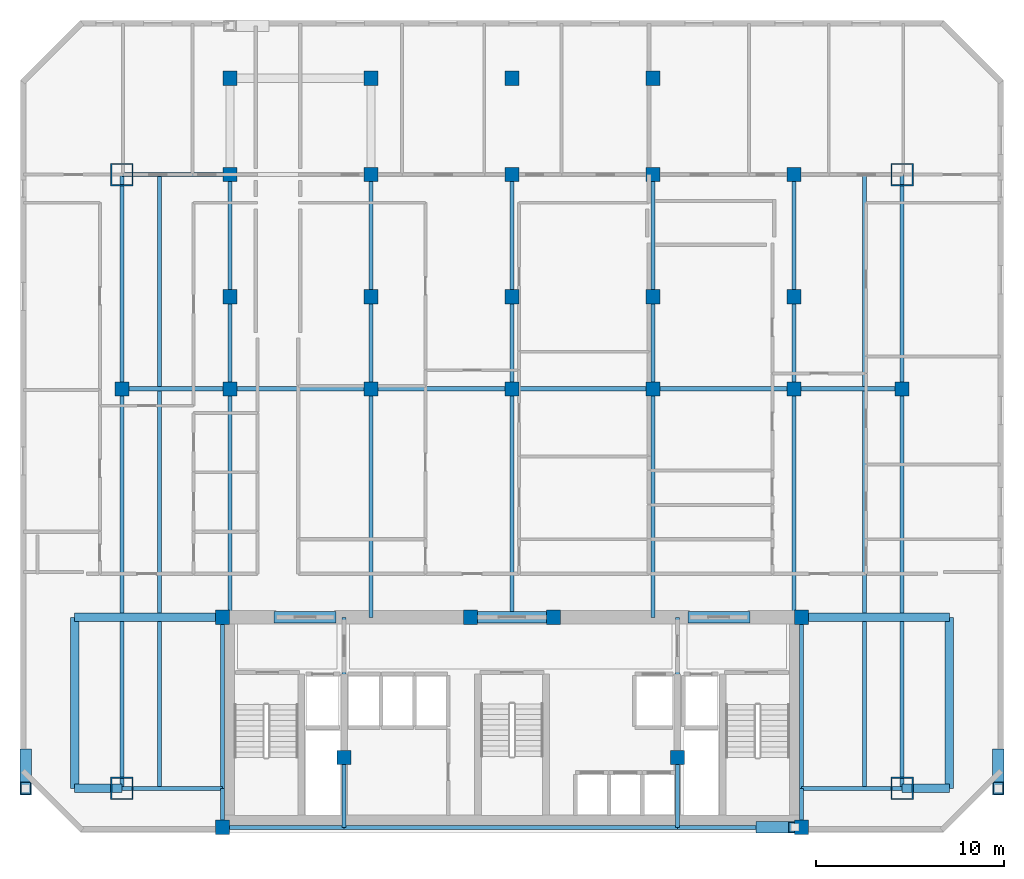
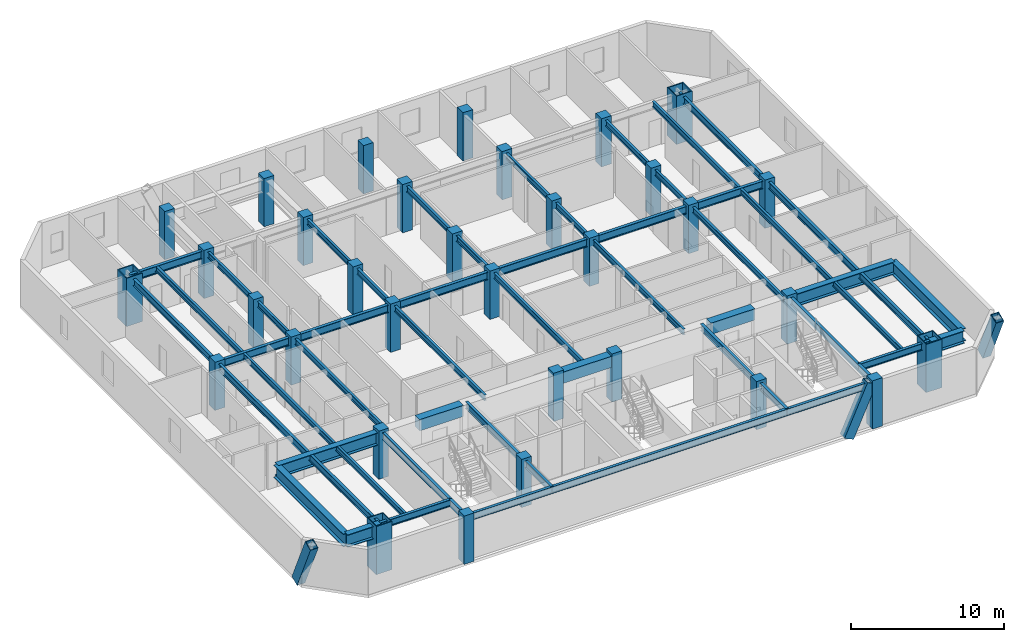
# One storey, part 1 of 9: 47 beams, 33 columns, 3 members.
"""IFC4 building model written with IfcOpenShell, lengths in metres."""

from ifc_helpers import new_model, si_unit, direction, frame, origin, origin_2d, place, context, subcontext, project, spatial, rectangle, hollow_rectangle, i_section, extrude, material, material_profile, profile_set, type_object, element, save


model = new_model("IFC4")

# Units and contexts
model_context = context("Model", 3, precision=1e-05, world=origin(), true_north=direction((0.0, 1.0)))
body_context = subcontext(model_context, "Body", "Model", "MODEL_VIEW")
ifc_project = project(units=[si_unit("LENGTHUNIT", "METRE"), si_unit("AREAUNIT", "SQUARE_METRE"), si_unit("VOLUMEUNIT", "CUBIC_METRE"), si_unit("PLANEANGLEUNIT", "RADIAN"), si_unit("MASSUNIT", "GRAM", prefix="KILO")], contexts=[model_context])

# Site, building, storey
site_placement = place(None, origin())
site = spatial("IfcSite", under=ifc_project, at=site_placement, CompositionType="ELEMENT")
building_placement = place(site_placement, origin())
building = spatial("IfcBuilding", under=site, at=building_placement, Name="Ventersveld Concourse Tower", CompositionType="ELEMENT")
storey_placement = place(building_placement, frame((0.0, 0.0, 152.89990234375)))
storey = spatial("IfcBuildingStorey", under=building, at=storey_placement, Name="L37", CompositionType="ELEMENT", Elevation=152.89990234375)

# Columns
ifc_material_1 = material(Name="Concrete C50/60", Category="concrete")
ifc_material_profile_1 = material_profile(ifc_material_1, rectangle(XDim=0.75, YDim=0.75, at=origin_2d()), Name="RC 750x750")
ifc_profile_set_1 = profile_set([ifc_material_profile_1], Name="Concrete C50/60")
column_type_1 = type_object("IfcColumnType", Name="COL-RC750", PredefinedType="COLUMN", material=ifc_profile_set_1)
for number, where, z_axis, x_axis, name in (
    (1, (13.35009765625, 0.280029296875, 0.0), (0.0, 0.0, 1.0), (1.0, 0.0, 0.0), "L37 Core Spine Column CC-SW"),
    (2, (44.14990234375, 0.280029296875, 0.0), (0.0, 0.0, 1.0), (1.0, 0.0, 0.0), "L37 Core Spine Column CC-SE"),
    (3, (13.35009765625, 11.449951171875, 0.0), (0.0, 0.0, 1.0), (1.0, 0.0, 0.0), "L37 Core Spine Column CC-NW"),
    (4, (44.14990234375, 11.449951171875, 0.0), (0.0, 0.0, 1.0), (1.0, 0.0, 0.0), "L37 Core Spine Column CC-NE"),
    (5, (19.820068359375, 4.0, 0.0), (0.0, 0.0, 1.0), (1.0, 0.0, 0.0), "L37 Core Spine Column CM-1"),
    (6, (37.550048828125, 4.0, 0.0), (0.0, 0.0, 1.0), (1.0, 0.0, 0.0), "L37 Core Spine Column CM-2"),
    (7, (26.550048828125, 11.449951171875, 0.0), (0.0, 0.0, 1.0), (1.0, 0.0, 0.0), "L37 Core Spine Column CM-3"),
    (8, (30.949951171875, 11.449951171875, 0.0), (0.0, 0.0, 1.0), (1.0, 0.0, 0.0), "L37 Core Spine Column CM-4"),
    (9, (8.0, 23.60009765625, 0.0), (0.0, 0.0, 1.0), (1.0, 0.0, 0.0), "L37 Interior Gravity Column X=8.00 Y=23.60"),
    (10, (13.75, 23.60009765625, 0.0), (0.0, 0.0, 1.0), (1.0, 0.0, 0.0), "L37 Interior Gravity Column X=13.75 Y=23.60"),
    (11, (21.25, 23.60009765625, 0.0), (0.0, 0.0, 1.0), (1.0, 0.0, 0.0), "L37 Interior Gravity Column X=21.25 Y=23.60"),
    (12, (28.75, 23.60009765625, 0.0), (0.0, 0.0, 1.0), (1.0, 0.0, 0.0), "L37 Interior Gravity Column X=28.75 Y=23.60"),
    (13, (36.25, 23.60009765625, 0.0), (0.0, 0.0, 1.0), (1.0, 0.0, 0.0), "L37 Interior Gravity Column X=36.25 Y=23.60"),
    (14, (43.75, 23.60009765625, 0.0), (0.0, 0.0, 1.0), (1.0, 0.0, 0.0), "L37 Interior Gravity Column X=43.75 Y=23.60"),
    (15, (49.5, 23.60009765625, 0.0), (0.0, 0.0, 1.0), (1.0, 0.0, 0.0), "L37 Interior Gravity Column X=49.50 Y=23.60"),
    (16, (13.75, 28.5, 0.0), (0.0, 0.0, 1.0), (1.0, 0.0, 0.0), "L37 Upper-North Gravity Column X=13.75 Y=28.50"),
    (17, (21.25, 28.5, 0.0), (0.0, 0.0, 1.0), (1.0, 0.0, 0.0), "L37 Upper-North Gravity Column X=21.25 Y=28.50"),
    (18, (28.75, 28.5, 0.0), (0.0, 0.0, 1.0), (1.0, 0.0, 0.0), "L37 Upper-North Gravity Column X=28.75 Y=28.50"),
    (19, (36.25, 28.5, 0.0), (0.0, 0.0, 1.0), (1.0, 0.0, 0.0), "L37 Upper-North Gravity Column X=36.25 Y=28.50"),
    (20, (43.75, 28.5, 0.0), (0.0, 0.0, 1.0), (1.0, 0.0, 0.0), "L37 Upper-North Gravity Column X=43.75 Y=28.50"),
    (21, (13.75, 40.1201171875, 0.0), (0.0, 0.0, 1.0), (1.0, 0.0, 0.0), "L37 North Brace Node Column X=13.75 Y=40.12"),
    (22, (21.25, 40.1201171875, 0.0), (0.0, 0.0, 1.0), (1.0, 0.0, 0.0), "L37 North Brace Node Column X=21.25 Y=40.12"),
    (23, (28.75, 40.1201171875, 0.0), (0.0, 0.0, 1.0), (1.0, 0.0, 0.0), "L37 North Brace Node Column X=28.75 Y=40.12"),
    (24, (36.25, 40.1201171875, 0.0), (0.0, 0.0, 1.0), (1.0, 0.0, 0.0), "L37 North Brace Node Column X=36.25 Y=40.12"),
    (25, (13.75, 35.0, 0.0), (0.0, 0.0, 1.0), (1.0, 0.0, 0.0), "L37 Mid-North Column X=13.75 Y=35.00"),
    (26, (21.25, 35.0, 0.0), (0.0, 0.0, 1.0), (1.0, 0.0, 0.0), "L37 Mid-North Column X=21.25 Y=35.00"),
    (27, (28.75, 35.0, 0.0), (0.0, 0.0, 1.0), (1.0, 0.0, 0.0), "L37 Mid-North Column X=28.75 Y=35.00"),
    (28, (36.25, 35.0, 0.0), (0.0, 0.0, 1.0), (1.0, 0.0, 0.0), "L37 Mid-North Column X=36.25 Y=35.00"),
    (29, (43.75, 35.0, 0.0), (0.0, 0.0, 1.0), (1.0, 0.0, 0.0), "L37 Mid-North Column X=43.75 Y=35.00"),
):
    element("IfcColumn", number, at=place(storey_placement, frame(where, z_axis=z_axis, x_axis=x_axis)), inside=storey, type_object=column_type_1, Name=name, PredefinedType="COLUMN", context=body_context, shape_type="SweptSolid", body=[
        extrude(rectangle(XDim=0.75, YDim=0.75, at=origin_2d()), origin(), (0.0, 0.0, 1.0), 3.85009765625),
    ])
ifc_material_2 = material(Name="Structural steel S460ML", Category="steel")
ifc_material_profile_2 = material_profile(ifc_material_2, hollow_rectangle(XDim=1.199951171875, YDim=1.199951171875, WallThickness=0.070068359375, at=origin_2d()), Name="BOX 1200x1200x70")
ifc_profile_set_2 = profile_set([ifc_material_profile_2], Name="Structural steel S460ML")
column_type_2 = type_object("IfcColumnType", Name="MC-1200", PredefinedType="USERDEFINED", material=ifc_profile_set_2)
for number, where, z_axis, x_axis, name in (
    (30, (8.0, 2.35009765625, 0.0), (0.0, 0.0, 1.0), (1.0, 0.0, 0.0), "L37 Corner Mega-Column MC-SW"),
    (31, (49.5, 2.35009765625, 0.0), (0.0, 0.0, 1.0), (1.0, 0.0, 0.0), "L37 Corner Mega-Column MC-SE"),
    (32, (49.5, 35.0, 0.0), (0.0, 0.0, 1.0), (1.0, 0.0, 0.0), "L37 Corner Mega-Column MC-NE"),
    (33, (8.0, 35.0, 0.0), (0.0, 0.0, 1.0), (1.0, 0.0, 0.0), "L37 Corner Mega-Column MC-NW"),
):
    element("IfcColumn", number, at=place(storey_placement, frame(where, z_axis=z_axis, x_axis=x_axis)), inside=storey, type_object=column_type_2, Name=name, ObjectType="MEGA_COLUMN", PredefinedType="USERDEFINED", context=body_context, shape_type="SweptSolid", body=[
        extrude(hollow_rectangle(XDim=1.199951171875, YDim=1.199951171875, WallThickness=0.070068359375, at=origin_2d()), origin(), (0.0, 0.0, 1.0), 3.85009765625),
    ])

# Beams
ifc_material_3 = material(Name="Structural steel S355J2", Category="steel")
ifc_material_profile_3 = material_profile(ifc_material_3, i_section(OverallWidth=0.18994140625, OverallDepth=0.453369140625, WebThickness=0.008544921875, FlangeThickness=0.0126953125, FilletRadius=0.01025390625, at=origin_2d()), Name="UB 457x191x67")
ifc_profile_set_3 = profile_set([ifc_material_profile_3], Name="Structural steel S355J2")
beam_type_1 = type_object("IfcBeamType", Name="BM-UB457", PredefinedType="BEAM", material=ifc_profile_set_3)
beam_1_placement = place(storey_placement, frame((10.0, 2.35009765625, 3.4033203125), z_axis=(0.0, 1.0, 0.0), x_axis=(-1.0, 0.0, 0.0)))
element("IfcBeam", 34, at=beam_1_placement, inside=storey, type_object=beam_type_1, Name="L37 N-S Composite Floor Beam South X=10.00", PredefinedType="BEAM", context=body_context, shape_type="SweptSolid", body=[
    extrude(i_section(OverallWidth=0.18994140625, OverallDepth=0.453369140625, WebThickness=0.008544921875, FlangeThickness=0.0126953125, FilletRadius=0.01025390625, at=origin_2d()), origin(), (0.0, 0.0, 1.0), 21.15478515625),
])
beam_2_placement = place(storey_placement, frame((10.0, 23.695068359375, 3.4033203125), z_axis=(0.0, 1.0, 0.0), x_axis=(-1.0, 0.0, 0.0)))
element("IfcBeam", 35, at=beam_2_placement, inside=storey, type_object=beam_type_1, Name="L37 N-S Composite Floor Beam Mid X=10.00", PredefinedType="BEAM", context=body_context, shape_type="SweptSolid", body=[
    extrude(i_section(OverallWidth=0.18994140625, OverallDepth=0.453369140625, WebThickness=0.008544921875, FlangeThickness=0.0126953125, FilletRadius=0.01025390625, at=origin_2d()), origin(), (0.0, 0.0, 1.0), 11.304931640625),
])
beam_3_placement = place(storey_placement, frame((13.75, 11.449951171875, 3.4033203125), z_axis=(0.0, 1.0, 0.0), x_axis=(-1.0, 0.0, 0.0)))
element("IfcBeam", 36, at=beam_3_placement, inside=storey, type_object=beam_type_1, Name="L37 N-S Composite Floor Beam South X=13.75", PredefinedType="BEAM", context=body_context, shape_type="SweptSolid", body=[
    extrude(i_section(OverallWidth=0.18994140625, OverallDepth=0.453369140625, WebThickness=0.008544921875, FlangeThickness=0.0126953125, FilletRadius=0.01025390625, at=origin_2d()), origin(), (0.0, 0.0, 1.0), 12.150146484375),
])
beam_4_placement = place(storey_placement, frame((13.75, 23.60009765625, 3.4033203125), z_axis=(0.0, 1.0, 0.0), x_axis=(-1.0, 0.0, 0.0)))
element("IfcBeam", 37, at=beam_4_placement, inside=storey, type_object=beam_type_1, Name="L37 N-S Composite Floor Beam Mid X=13.75", PredefinedType="BEAM", context=body_context, shape_type="SweptSolid", body=[
    extrude(i_section(OverallWidth=0.18994140625, OverallDepth=0.453369140625, WebThickness=0.008544921875, FlangeThickness=0.0126953125, FilletRadius=0.01025390625, at=origin_2d()), origin(), (0.0, 0.0, 1.0), 11.39990234375),
])
beam_5_placement = place(storey_placement, frame((21.25, 11.449951171875, 3.4033203125), z_axis=(0.0, 1.0, 0.0), x_axis=(-1.0, 0.0, 0.0)))
element("IfcBeam", 38, at=beam_5_placement, inside=storey, type_object=beam_type_1, Name="L37 N-S Composite Floor Beam South X=21.25", PredefinedType="BEAM", context=body_context, shape_type="SweptSolid", body=[
    extrude(i_section(OverallWidth=0.18994140625, OverallDepth=0.453369140625, WebThickness=0.008544921875, FlangeThickness=0.0126953125, FilletRadius=0.01025390625, at=origin_2d()), origin(), (0.0, 0.0, 1.0), 12.150146484375),
])
beam_6_placement = place(storey_placement, frame((21.25, 23.60009765625, 3.4033203125), z_axis=(0.0, 1.0, 0.0), x_axis=(-1.0, 0.0, 0.0)))
element("IfcBeam", 39, at=beam_6_placement, inside=storey, type_object=beam_type_1, Name="L37 N-S Composite Floor Beam Mid X=21.25", PredefinedType="BEAM", context=body_context, shape_type="SweptSolid", body=[
    extrude(i_section(OverallWidth=0.18994140625, OverallDepth=0.453369140625, WebThickness=0.008544921875, FlangeThickness=0.0126953125, FilletRadius=0.01025390625, at=origin_2d()), origin(), (0.0, 0.0, 1.0), 11.39990234375),
])
beam_7_placement = place(storey_placement, frame((28.75, 11.449951171875, 3.4033203125), z_axis=(0.0, 1.0, 0.0), x_axis=(-1.0, 0.0, 0.0)))
element("IfcBeam", 40, at=beam_7_placement, inside=storey, type_object=beam_type_1, Name="L37 N-S Composite Floor Beam South X=28.75", PredefinedType="BEAM", context=body_context, shape_type="SweptSolid", body=[
    extrude(i_section(OverallWidth=0.18994140625, OverallDepth=0.453369140625, WebThickness=0.008544921875, FlangeThickness=0.0126953125, FilletRadius=0.01025390625, at=origin_2d()), origin(), (0.0, 0.0, 1.0), 12.150146484375),
])
beam_8_placement = place(storey_placement, frame((28.75, 23.60009765625, 3.4033203125), z_axis=(0.0, 1.0, 0.0), x_axis=(-1.0, 0.0, 0.0)))
element("IfcBeam", 41, at=beam_8_placement, inside=storey, type_object=beam_type_1, Name="L37 N-S Composite Floor Beam Mid X=28.75", PredefinedType="BEAM", context=body_context, shape_type="SweptSolid", body=[
    extrude(i_section(OverallWidth=0.18994140625, OverallDepth=0.453369140625, WebThickness=0.008544921875, FlangeThickness=0.0126953125, FilletRadius=0.01025390625, at=origin_2d()), origin(), (0.0, 0.0, 1.0), 11.39990234375),
])
beam_9_placement = place(storey_placement, frame((36.25, 11.449951171875, 3.4033203125), z_axis=(0.0, 1.0, 0.0), x_axis=(-1.0, 0.0, 0.0)))
element("IfcBeam", 42, at=beam_9_placement, inside=storey, type_object=beam_type_1, Name="L37 N-S Composite Floor Beam South X=36.25", PredefinedType="BEAM", context=body_context, shape_type="SweptSolid", body=[
    extrude(i_section(OverallWidth=0.18994140625, OverallDepth=0.453369140625, WebThickness=0.008544921875, FlangeThickness=0.0126953125, FilletRadius=0.01025390625, at=origin_2d()), origin(), (0.0, 0.0, 1.0), 12.150146484375),
])
beam_10_placement = place(storey_placement, frame((36.25, 23.60009765625, 3.4033203125), z_axis=(0.0, 1.0, 0.0), x_axis=(-1.0, 0.0, 0.0)))
element("IfcBeam", 43, at=beam_10_placement, inside=storey, type_object=beam_type_1, Name="L37 N-S Composite Floor Beam Mid X=36.25", PredefinedType="BEAM", context=body_context, shape_type="SweptSolid", body=[
    extrude(i_section(OverallWidth=0.18994140625, OverallDepth=0.453369140625, WebThickness=0.008544921875, FlangeThickness=0.0126953125, FilletRadius=0.01025390625, at=origin_2d()), origin(), (0.0, 0.0, 1.0), 11.39990234375),
])
beam_11_placement = place(storey_placement, frame((43.75, 11.449951171875, 3.4033203125), z_axis=(0.0, 1.0, 0.0), x_axis=(-1.0, 0.0, 0.0)))
element("IfcBeam", 44, at=beam_11_placement, inside=storey, type_object=beam_type_1, Name="L37 N-S Composite Floor Beam South X=43.75", PredefinedType="BEAM", context=body_context, shape_type="SweptSolid", body=[
    extrude(i_section(OverallWidth=0.18994140625, OverallDepth=0.453369140625, WebThickness=0.008544921875, FlangeThickness=0.0126953125, FilletRadius=0.01025390625, at=origin_2d()), origin(), (0.0, 0.0, 1.0), 12.150146484375),
])
beam_12_placement = place(storey_placement, frame((43.75, 23.60009765625, 3.4033203125), z_axis=(0.0, 1.0, 0.0), x_axis=(-1.0, 0.0, 0.0)))
element("IfcBeam", 45, at=beam_12_placement, inside=storey, type_object=beam_type_1, Name="L37 N-S Composite Floor Beam Mid X=43.75", PredefinedType="BEAM", context=body_context, shape_type="SweptSolid", body=[
    extrude(i_section(OverallWidth=0.18994140625, OverallDepth=0.453369140625, WebThickness=0.008544921875, FlangeThickness=0.0126953125, FilletRadius=0.01025390625, at=origin_2d()), origin(), (0.0, 0.0, 1.0), 11.39990234375),
])
beam_13_placement = place(storey_placement, frame((47.5, 2.35009765625, 3.4033203125), z_axis=(0.0, 1.0, 0.0), x_axis=(-1.0, 0.0, 0.0)))
element("IfcBeam", 46, at=beam_13_placement, inside=storey, type_object=beam_type_1, Name="L37 N-S Composite Floor Beam South X=47.50", PredefinedType="BEAM", context=body_context, shape_type="SweptSolid", body=[
    extrude(i_section(OverallWidth=0.18994140625, OverallDepth=0.453369140625, WebThickness=0.008544921875, FlangeThickness=0.0126953125, FilletRadius=0.01025390625, at=origin_2d()), origin(), (0.0, 0.0, 1.0), 21.15478515625),
])
beam_14_placement = place(storey_placement, frame((47.5, 23.695068359375, 3.4033203125), z_axis=(0.0, 1.0, 0.0), x_axis=(-1.0, 0.0, 0.0)))
element("IfcBeam", 47, at=beam_14_placement, inside=storey, type_object=beam_type_1, Name="L37 N-S Composite Floor Beam Mid X=47.50", PredefinedType="BEAM", context=body_context, shape_type="SweptSolid", body=[
    extrude(i_section(OverallWidth=0.18994140625, OverallDepth=0.453369140625, WebThickness=0.008544921875, FlangeThickness=0.0126953125, FilletRadius=0.01025390625, at=origin_2d()), origin(), (0.0, 0.0, 1.0), 11.304931640625),
])
ifc_material_4 = material(Name="Concrete C60/75", Category="concrete")
ifc_material_profile_4 = material_profile(ifc_material_4, rectangle(XDim=0.60009765625, YDim=0.89990234375, at=origin_2d()), Name="RC 600x900")
ifc_profile_set_4 = profile_set([ifc_material_profile_4], Name="Concrete C60/75")
beam_type_2 = type_object("IfcBeamType", Name="CB-RC600x900L", PredefinedType="LINTEL", material=ifc_profile_set_4)
beam_15_placement = place(storey_placement, frame((16.10009765625, 11.449951171875, 3.18017578125), z_axis=(1.0, 0.0, 0.0), x_axis=(0.0, 1.0, 0.0)))
element("IfcBeam", 48, at=beam_15_placement, inside=storey, type_object=beam_type_2, Name="L37 Core Coupling Lintel Beam 1", PredefinedType="LINTEL", context=body_context, shape_type="SweptSolid", body=[
    extrude(rectangle(XDim=0.60009765625, YDim=0.89990234375, at=origin_2d()), origin(), (0.0, 0.0, 1.0), 3.2998046875),
])
beam_16_placement = place(storey_placement, frame((26.5, 11.449951171875, 3.18017578125), z_axis=(1.0, 0.0, 0.0), x_axis=(0.0, 1.0, 0.0)))
element("IfcBeam", 49, at=beam_16_placement, inside=storey, type_object=beam_type_2, Name="L37 Core Coupling Lintel Beam 2", PredefinedType="LINTEL", context=body_context, shape_type="SweptSolid", body=[
    extrude(rectangle(XDim=0.60009765625, YDim=0.89990234375, at=origin_2d()), origin(), (0.0, 0.0, 1.0), 4.5),
])
beam_17_placement = place(storey_placement, frame((38.10009765625, 11.449951171875, 3.18017578125), z_axis=(1.0, 0.0, 0.0), x_axis=(0.0, 1.0, 0.0)))
element("IfcBeam", 50, at=beam_17_placement, inside=storey, type_object=beam_type_2, Name="L37 Core Coupling Lintel Beam 3", PredefinedType="LINTEL", context=body_context, shape_type="SweptSolid", body=[
    extrude(rectangle(XDim=0.60009765625, YDim=0.89990234375, at=origin_2d()), origin(), (0.0, 0.0, 1.0), 3.2998046875),
])
ifc_material_profile_5 = material_profile(ifc_material_3, i_section(OverallWidth=0.2119140625, OverallDepth=0.54443359375, WebThickness=0.0126953125, FlangeThickness=0.021240234375, FilletRadius=0.0126953125, at=origin_2d()), Name="UB 533x210x122")
ifc_profile_set_5 = profile_set([ifc_material_profile_5], Name="Structural steel S355J2")
beam_type_3 = type_object("IfcBeamType", Name="GRD-UB533H", PredefinedType="T_BEAM", material=ifc_profile_set_5)
beam_18_placement = place(storey_placement, frame((13.35009765625, 0.280029296875, 3.35791015625), z_axis=(0.0, 1.0, 0.0), x_axis=(-1.0, 0.0, 0.0)))
element("IfcBeam", 51, at=beam_18_placement, inside=storey, type_object=beam_type_3, Name="L37 Core West Tie Beam S", PredefinedType="T_BEAM", context=body_context, shape_type="SweptSolid", body=[
    extrude(i_section(OverallWidth=0.2119140625, OverallDepth=0.54443359375, WebThickness=0.0126953125, FlangeThickness=0.021240234375, FilletRadius=0.0126953125, at=origin_2d()), origin(), (0.0, 0.0, 1.0), 2.070068359375),
])
beam_19_placement = place(storey_placement, frame((13.35009765625, 2.35009765625, 3.35791015625), z_axis=(0.0, 1.0, 0.0), x_axis=(-1.0, 0.0, 0.0)))
element("IfcBeam", 52, at=beam_19_placement, inside=storey, type_object=beam_type_3, Name="L37 Core West Tie Beam N", PredefinedType="T_BEAM", context=body_context, shape_type="SweptSolid", body=[
    extrude(i_section(OverallWidth=0.2119140625, OverallDepth=0.54443359375, WebThickness=0.0126953125, FlangeThickness=0.021240234375, FilletRadius=0.0126953125, at=origin_2d()), origin(), (0.0, 0.0, 1.0), 9.099853515625),
])
beam_20_placement = place(storey_placement, frame((44.14990234375, 0.280029296875, 3.35791015625), z_axis=(0.0, 1.0, 0.0), x_axis=(-1.0, 0.0, 0.0)))
element("IfcBeam", 53, at=beam_20_placement, inside=storey, type_object=beam_type_3, Name="L37 Core East Tie Beam S", PredefinedType="T_BEAM", context=body_context, shape_type="SweptSolid", body=[
    extrude(i_section(OverallWidth=0.2119140625, OverallDepth=0.54443359375, WebThickness=0.0126953125, FlangeThickness=0.021240234375, FilletRadius=0.0126953125, at=origin_2d()), origin(), (0.0, 0.0, 1.0), 2.070068359375),
])
beam_21_placement = place(storey_placement, frame((44.14990234375, 2.35009765625, 3.35791015625), z_axis=(0.0, 1.0, 0.0), x_axis=(-1.0, 0.0, 0.0)))
element("IfcBeam", 54, at=beam_21_placement, inside=storey, type_object=beam_type_3, Name="L37 Core East Tie Beam N", PredefinedType="T_BEAM", context=body_context, shape_type="SweptSolid", body=[
    extrude(i_section(OverallWidth=0.2119140625, OverallDepth=0.54443359375, WebThickness=0.0126953125, FlangeThickness=0.021240234375, FilletRadius=0.0126953125, at=origin_2d()), origin(), (0.0, 0.0, 1.0), 9.099853515625),
])
beam_22_placement = place(storey_placement, frame((13.35009765625, 0.280029296875, 3.35791015625), z_axis=(1.0, 0.0, 0.0), x_axis=(0.0, 1.0, 0.0)))
element("IfcBeam", 55, at=beam_22_placement, inside=storey, type_object=beam_type_3, Name="L37 Core South Tie Beam W", PredefinedType="T_BEAM", context=body_context, shape_type="SweptSolid", body=[
    extrude(i_section(OverallWidth=0.2119140625, OverallDepth=0.54443359375, WebThickness=0.0126953125, FlangeThickness=0.021240234375, FilletRadius=0.0126953125, at=origin_2d()), origin(), (0.0, 0.0, 1.0), 6.469970703125),
])
beam_23_placement = place(storey_placement, frame((19.820068359375, 0.280029296875, 3.35791015625), z_axis=(1.0, 0.0, 0.0), x_axis=(0.0, 1.0, 0.0)))
element("IfcBeam", 56, at=beam_23_placement, inside=storey, type_object=beam_type_3, Name="L37 Core South Tie Beam C", PredefinedType="T_BEAM", context=body_context, shape_type="SweptSolid", body=[
    extrude(i_section(OverallWidth=0.2119140625, OverallDepth=0.54443359375, WebThickness=0.0126953125, FlangeThickness=0.021240234375, FilletRadius=0.0126953125, at=origin_2d()), origin(), (0.0, 0.0, 1.0), 17.72998046875),
])
beam_24_placement = place(storey_placement, frame((37.550048828125, 0.280029296875, 3.35791015625), z_axis=(1.0, 0.0, 0.0), x_axis=(0.0, 1.0, 0.0)))
element("IfcBeam", 57, at=beam_24_placement, inside=storey, type_object=beam_type_3, Name="L37 Core South Tie Beam E", PredefinedType="T_BEAM", context=body_context, shape_type="SweptSolid", body=[
    extrude(i_section(OverallWidth=0.2119140625, OverallDepth=0.54443359375, WebThickness=0.0126953125, FlangeThickness=0.021240234375, FilletRadius=0.0126953125, at=origin_2d()), origin(), (0.0, 0.0, 1.0), 6.599853515625),
])
beam_25_placement = place(storey_placement, frame((19.820068359375, 0.280029296875, 3.35791015625), z_axis=(0.0, 1.0, 0.0), x_axis=(-1.0, 0.0, 0.0)))
element("IfcBeam", 58, at=beam_25_placement, inside=storey, type_object=beam_type_3, Name="L37 Core Spine N-S Tie Beam W1", PredefinedType="T_BEAM", context=body_context, shape_type="SweptSolid", body=[
    extrude(i_section(OverallWidth=0.2119140625, OverallDepth=0.54443359375, WebThickness=0.0126953125, FlangeThickness=0.021240234375, FilletRadius=0.0126953125, at=origin_2d()), origin(), (0.0, 0.0, 1.0), 3.719970703125),
])
beam_26_placement = place(storey_placement, frame((19.820068359375, 4.0, 3.35791015625), z_axis=(0.0, 1.0, 0.0), x_axis=(-1.0, 0.0, 0.0)))
element("IfcBeam", 59, at=beam_26_placement, inside=storey, type_object=beam_type_3, Name="L37 Core Spine N-S Tie Beam W2", PredefinedType="T_BEAM", context=body_context, shape_type="SweptSolid", body=[
    extrude(i_section(OverallWidth=0.2119140625, OverallDepth=0.54443359375, WebThickness=0.0126953125, FlangeThickness=0.021240234375, FilletRadius=0.0126953125, at=origin_2d()), origin(), (0.0, 0.0, 1.0), 7.449951171875),
])
beam_27_placement = place(storey_placement, frame((37.550048828125, 0.280029296875, 3.35791015625), z_axis=(0.0, 1.0, 0.0), x_axis=(-1.0, 0.0, 0.0)))
element("IfcBeam", 60, at=beam_27_placement, inside=storey, type_object=beam_type_3, Name="L37 Core Spine N-S Tie Beam E1", PredefinedType="T_BEAM", context=body_context, shape_type="SweptSolid", body=[
    extrude(i_section(OverallWidth=0.2119140625, OverallDepth=0.54443359375, WebThickness=0.0126953125, FlangeThickness=0.021240234375, FilletRadius=0.0126953125, at=origin_2d()), origin(), (0.0, 0.0, 1.0), 3.719970703125),
])
beam_28_placement = place(storey_placement, frame((37.550048828125, 4.0, 3.35791015625), z_axis=(0.0, 1.0, 0.0), x_axis=(-1.0, 0.0, 0.0)))
element("IfcBeam", 61, at=beam_28_placement, inside=storey, type_object=beam_type_3, Name="L37 Core Spine N-S Tie Beam E2", PredefinedType="T_BEAM", context=body_context, shape_type="SweptSolid", body=[
    extrude(i_section(OverallWidth=0.2119140625, OverallDepth=0.54443359375, WebThickness=0.0126953125, FlangeThickness=0.021240234375, FilletRadius=0.0126953125, at=origin_2d()), origin(), (0.0, 0.0, 1.0), 7.449951171875),
])
ifc_material_profile_6 = material_profile(ifc_material_3, i_section(OverallWidth=0.230224609375, OverallDepth=0.6171875, WebThickness=0.01318359375, FlangeThickness=0.022216796875, FilletRadius=0.0126953125, at=origin_2d()), Name="UB 610x229x140")
ifc_profile_set_6 = profile_set([ifc_material_profile_6], Name="Structural steel S355J2")
beam_type_4 = type_object("IfcBeamType", Name="GRD-UB610", PredefinedType="USERDEFINED", material=ifc_profile_set_6)
beam_29_placement = place(storey_placement, frame((8.0, 23.60009765625, 3.321533203125), z_axis=(1.0, 0.0, 0.0), x_axis=(0.0, 1.0, 0.0)))
element("IfcBeam", 62, at=beam_29_placement, inside=storey, type_object=beam_type_4, Name="L37 Primary E-W Grid Girder Y=23.60 #1", ObjectType="GIRDER", PredefinedType="USERDEFINED", context=body_context, shape_type="SweptSolid", body=[
    extrude(i_section(OverallWidth=0.230224609375, OverallDepth=0.6171875, WebThickness=0.01318359375, FlangeThickness=0.022216796875, FilletRadius=0.0126953125, at=origin_2d()), origin(), (0.0, 0.0, 1.0), 5.75),
])
for number, where, z_axis, x_axis, name in (
    (63, (13.75, 23.60009765625, 3.321533203125), (1.0, 0.0, 0.0), (0.0, 1.0, 0.0), "L37 Primary E-W Grid Girder Y=23.60 #2"),
    (64, (21.25, 23.60009765625, 3.321533203125), (1.0, 0.0, 0.0), (0.0, 1.0, 0.0), "L37 Primary E-W Grid Girder Y=23.60 #3"),
    (65, (28.75, 23.60009765625, 3.321533203125), (1.0, 0.0, 0.0), (0.0, 1.0, 0.0), "L37 Primary E-W Grid Girder Y=23.60 #4"),
    (66, (36.25, 23.60009765625, 3.321533203125), (1.0, 0.0, 0.0), (0.0, 1.0, 0.0), "L37 Primary E-W Grid Girder Y=23.60 #5"),
):
    element("IfcBeam", number, at=place(storey_placement, frame(where, z_axis=z_axis, x_axis=x_axis)), inside=storey, type_object=beam_type_4, Name=name, ObjectType="GIRDER", PredefinedType="USERDEFINED", context=body_context, shape_type="SweptSolid", body=[
        extrude(i_section(OverallWidth=0.230224609375, OverallDepth=0.6171875, WebThickness=0.01318359375, FlangeThickness=0.022216796875, FilletRadius=0.0126953125, at=origin_2d()), origin(), (0.0, 0.0, 1.0), 7.5),
    ])
for number, where, z_axis, x_axis, name in (
    (67, (43.75, 23.60009765625, 3.321533203125), (1.0, 0.0, 0.0), (0.0, 1.0, 0.0), "L37 Primary E-W Grid Girder Y=23.60 #6"),
    (68, (8.0, 35.0, 3.321533203125), (1.0, 0.0, 0.0), (0.0, 1.0, 0.0), "L37 E-W Grid Girder Y=35.00 #1"),
):
    element("IfcBeam", number, at=place(storey_placement, frame(where, z_axis=z_axis, x_axis=x_axis)), inside=storey, type_object=beam_type_4, Name=name, ObjectType="GIRDER", PredefinedType="USERDEFINED", context=body_context, shape_type="SweptSolid", body=[
        extrude(i_section(OverallWidth=0.230224609375, OverallDepth=0.6171875, WebThickness=0.01318359375, FlangeThickness=0.022216796875, FilletRadius=0.0126953125, at=origin_2d()), origin(), (0.0, 0.0, 1.0), 5.75),
    ])

# Members
ifc_material_5 = material(Name="Structural steel S355ML", Category="steel")
ifc_material_profile_7 = material_profile(ifc_material_5, hollow_rectangle(XDim=0.60009765625, YDim=0.75, WallThickness=0.0400390625, at=origin_2d()), Name="BOX 750x600x40")
ifc_profile_set_7 = profile_set([ifc_material_profile_7], Name="Structural steel S355ML")
member_type = type_object("IfcMemberType", Name="MB-750x600", PredefinedType="BRACE", material=ifc_profile_set_7)
for number, where, z_axis, x_axis, name in (
    (69, (42.060546875, 0.280029296875, -0.219970703125), (0.411733807219, 0.0, 0.911304159978), (0.0, 1.0, 0.0), "L37 Exterior Mega-Brace S (Module M08)"),
    (70, (2.8798828125, 4.089599609375, -0.219970703125), (0.0, -0.411733807219, 0.911304159978), (1.0, 0.0, 0.0), "L37 Exterior Mega-Brace W (Module M08)"),
    (71, (54.6201171875, 4.089599609375, -0.219970703125), (0.0, -0.411733807219, 0.911304159978), (1.0, 0.0, 0.0), "L37 Exterior Mega-Brace E (Module M08)"),
):
    element("IfcMember", number, at=place(storey_placement, frame(where, z_axis=z_axis, x_axis=x_axis)), inside=storey, type_object=member_type, Name=name, PredefinedType="BRACE", context=body_context, shape_type="SweptSolid", body=[
        extrude(hollow_rectangle(XDim=0.60009765625, YDim=0.75, WallThickness=0.0400390625, at=origin_2d()), origin(), (0.0, 0.0, 1.0), 4.224853515625),
    ])

# Beams
ifc_material_profile_8 = material_profile(ifc_material_3, i_section(OverallWidth=0.2119140625, OverallDepth=0.54443359375, WebThickness=0.0126953125, FlangeThickness=0.021240234375, FilletRadius=0.0126953125, at=origin_2d()), Name="UB 533x210x122")
ifc_profile_set_8 = profile_set([ifc_material_profile_8], Name="Structural steel S355J2")
beam_type_5 = type_object("IfcBeamType", Name="SPD-UB533", PredefinedType="SPANDREL", material=ifc_profile_set_8)
for number, where, z_axis, x_axis, name in (
    (72, (8.0, 2.35009765625, 3.35791015625), (1.0, 0.0, 0.0), (0.0, 1.0, 0.0), "L37 SW Spandrel Beam"),
    (73, (44.14990234375, 2.35009765625, 3.35791015625), (1.0, 0.0, 0.0), (0.0, 1.0, 0.0), "L37 SE Spandrel Beam"),
):
    element("IfcBeam", number, at=place(storey_placement, frame(where, z_axis=z_axis, x_axis=x_axis)), inside=storey, type_object=beam_type_5, Name=name, PredefinedType="SPANDREL", context=body_context, shape_type="SweptSolid", body=[
        extrude(i_section(OverallWidth=0.2119140625, OverallDepth=0.54443359375, WebThickness=0.0126953125, FlangeThickness=0.021240234375, FilletRadius=0.0126953125, at=origin_2d()), origin(), (0.0, 0.0, 1.0), 5.35009765625),
    ])
beam_30_placement = place(storey_placement, frame((8.0, 2.35009765625, 3.35791015625), z_axis=(0.0, 1.0, 0.0), x_axis=(-1.0, 0.0, 0.0)))
element("IfcBeam", 74, at=beam_30_placement, inside=storey, type_object=beam_type_5, Name="L37 West Spandrel Beam S", PredefinedType="SPANDREL", context=body_context, shape_type="SweptSolid", body=[
    extrude(i_section(OverallWidth=0.2119140625, OverallDepth=0.54443359375, WebThickness=0.0126953125, FlangeThickness=0.021240234375, FilletRadius=0.0126953125, at=origin_2d()), origin(), (0.0, 0.0, 1.0), 21.25),
])
beam_31_placement = place(storey_placement, frame((8.0, 23.60009765625, 3.35791015625), z_axis=(0.0, 1.0, 0.0), x_axis=(-1.0, 0.0, 0.0)))
element("IfcBeam", 75, at=beam_31_placement, inside=storey, type_object=beam_type_5, Name="L37 West Spandrel Beam N", PredefinedType="SPANDREL", context=body_context, shape_type="SweptSolid", body=[
    extrude(i_section(OverallWidth=0.2119140625, OverallDepth=0.54443359375, WebThickness=0.0126953125, FlangeThickness=0.021240234375, FilletRadius=0.0126953125, at=origin_2d()), origin(), (0.0, 0.0, 1.0), 11.39990234375),
])
beam_32_placement = place(storey_placement, frame((49.5, 2.35009765625, 3.35791015625), z_axis=(0.0, 1.0, 0.0), x_axis=(-1.0, 0.0, 0.0)))
element("IfcBeam", 76, at=beam_32_placement, inside=storey, type_object=beam_type_5, Name="L37 East Spandrel Beam S", PredefinedType="SPANDREL", context=body_context, shape_type="SweptSolid", body=[
    extrude(i_section(OverallWidth=0.2119140625, OverallDepth=0.54443359375, WebThickness=0.0126953125, FlangeThickness=0.021240234375, FilletRadius=0.0126953125, at=origin_2d()), origin(), (0.0, 0.0, 1.0), 21.25),
])
beam_33_placement = place(storey_placement, frame((49.5, 23.60009765625, 3.35791015625), z_axis=(0.0, 1.0, 0.0), x_axis=(-1.0, 0.0, 0.0)))
element("IfcBeam", 77, at=beam_33_placement, inside=storey, type_object=beam_type_5, Name="L37 East Spandrel Beam N", PredefinedType="SPANDREL", context=body_context, shape_type="SweptSolid", body=[
    extrude(i_section(OverallWidth=0.2119140625, OverallDepth=0.54443359375, WebThickness=0.0126953125, FlangeThickness=0.021240234375, FilletRadius=0.0126953125, at=origin_2d()), origin(), (0.0, 0.0, 1.0), 11.39990234375),
])
ifc_material_profile_9 = material_profile(ifc_material_2, i_section(OverallWidth=0.449951171875, OverallDepth=1.0, WebThickness=0.02392578125, FlangeThickness=0.0400390625, at=origin_2d()), Name="PG 1000x450x40")
ifc_profile_set_9 = profile_set([ifc_material_profile_9], Name="Structural steel S460ML")
beam_type_6 = type_object("IfcBeamType", Name="TG-PG1000", PredefinedType="USERDEFINED", material=ifc_profile_set_9)
beam_34_placement = place(storey_placement, frame((5.47998046875, 2.35009765625, 3.130126953125), z_axis=(1.0, 0.0, 0.0), x_axis=(0.0, 1.0, 0.0)))
element("IfcBeam", 78, at=beam_34_placement, inside=storey, type_object=beam_type_6, Name="L37 West Perimeter Setback Cantilever 1", ObjectType="TRANSFER_GIRDER", PredefinedType="USERDEFINED", context=body_context, shape_type="SweptSolid", body=[
    extrude(i_section(OverallWidth=0.449951171875, OverallDepth=1.0, WebThickness=0.02392578125, FlangeThickness=0.0400390625, at=origin_2d()), origin(), (0.0, 0.0, 1.0), 2.52001953125),
])
beam_35_placement = place(storey_placement, frame((5.47998046875, 11.449951171875, 3.130126953125), z_axis=(1.0, 0.0, 0.0), x_axis=(0.0, 1.0, 0.0)))
element("IfcBeam", 79, at=beam_35_placement, inside=storey, type_object=beam_type_6, Name="L37 West Perimeter Setback Cantilever 2", ObjectType="TRANSFER_GIRDER", PredefinedType="USERDEFINED", context=body_context, shape_type="SweptSolid", body=[
    extrude(i_section(OverallWidth=0.449951171875, OverallDepth=1.0, WebThickness=0.02392578125, FlangeThickness=0.0400390625, at=origin_2d()), origin(), (0.0, 0.0, 1.0), 7.8701171875),
])
beam_36_placement = place(storey_placement, frame((5.47998046875, 2.35009765625, 3.130126953125), z_axis=(0.0, 1.0, 0.0), x_axis=(-1.0, 0.0, 0.0)))
element("IfcBeam", 80, at=beam_36_placement, inside=storey, type_object=beam_type_6, Name="L37 West Perimeter Setback Edge Girder", ObjectType="TRANSFER_GIRDER", PredefinedType="USERDEFINED", context=body_context, shape_type="SweptSolid", body=[
    extrude(i_section(OverallWidth=0.449951171875, OverallDepth=1.0, WebThickness=0.02392578125, FlangeThickness=0.0400390625, at=origin_2d()), origin(), (0.0, 0.0, 1.0), 9.099853515625),
])
beam_37_placement = place(storey_placement, frame((49.5, 2.35009765625, 3.130126953125), z_axis=(1.0, 0.0, 0.0), x_axis=(0.0, 1.0, 0.0)))
element("IfcBeam", 81, at=beam_37_placement, inside=storey, type_object=beam_type_6, Name="L37 East Perimeter Setback Cantilever 1", ObjectType="TRANSFER_GIRDER", PredefinedType="USERDEFINED", context=body_context, shape_type="SweptSolid", body=[
    extrude(i_section(OverallWidth=0.449951171875, OverallDepth=1.0, WebThickness=0.02392578125, FlangeThickness=0.0400390625, at=origin_2d()), origin(), (0.0, 0.0, 1.0), 2.52001953125),
])
beam_38_placement = place(storey_placement, frame((44.14990234375, 11.449951171875, 3.130126953125), z_axis=(1.0, 0.0, 0.0), x_axis=(0.0, 1.0, 0.0)))
element("IfcBeam", 82, at=beam_38_placement, inside=storey, type_object=beam_type_6, Name="L37 East Perimeter Setback Cantilever 2", ObjectType="TRANSFER_GIRDER", PredefinedType="USERDEFINED", context=body_context, shape_type="SweptSolid", body=[
    extrude(i_section(OverallWidth=0.449951171875, OverallDepth=1.0, WebThickness=0.02392578125, FlangeThickness=0.0400390625, at=origin_2d()), origin(), (0.0, 0.0, 1.0), 7.8701171875),
])
beam_39_placement = place(storey_placement, frame((52.02001953125, 2.35009765625, 3.130126953125), z_axis=(0.0, 1.0, 0.0), x_axis=(-1.0, 0.0, 0.0)))
element("IfcBeam", 83, at=beam_39_placement, inside=storey, type_object=beam_type_6, Name="L37 East Perimeter Setback Edge Girder", ObjectType="TRANSFER_GIRDER", PredefinedType="USERDEFINED", context=body_context, shape_type="SweptSolid", body=[
    extrude(i_section(OverallWidth=0.449951171875, OverallDepth=1.0, WebThickness=0.02392578125, FlangeThickness=0.0400390625, at=origin_2d()), origin(), (0.0, 0.0, 1.0), 9.099853515625),
])

save(model, "model.ifc")
